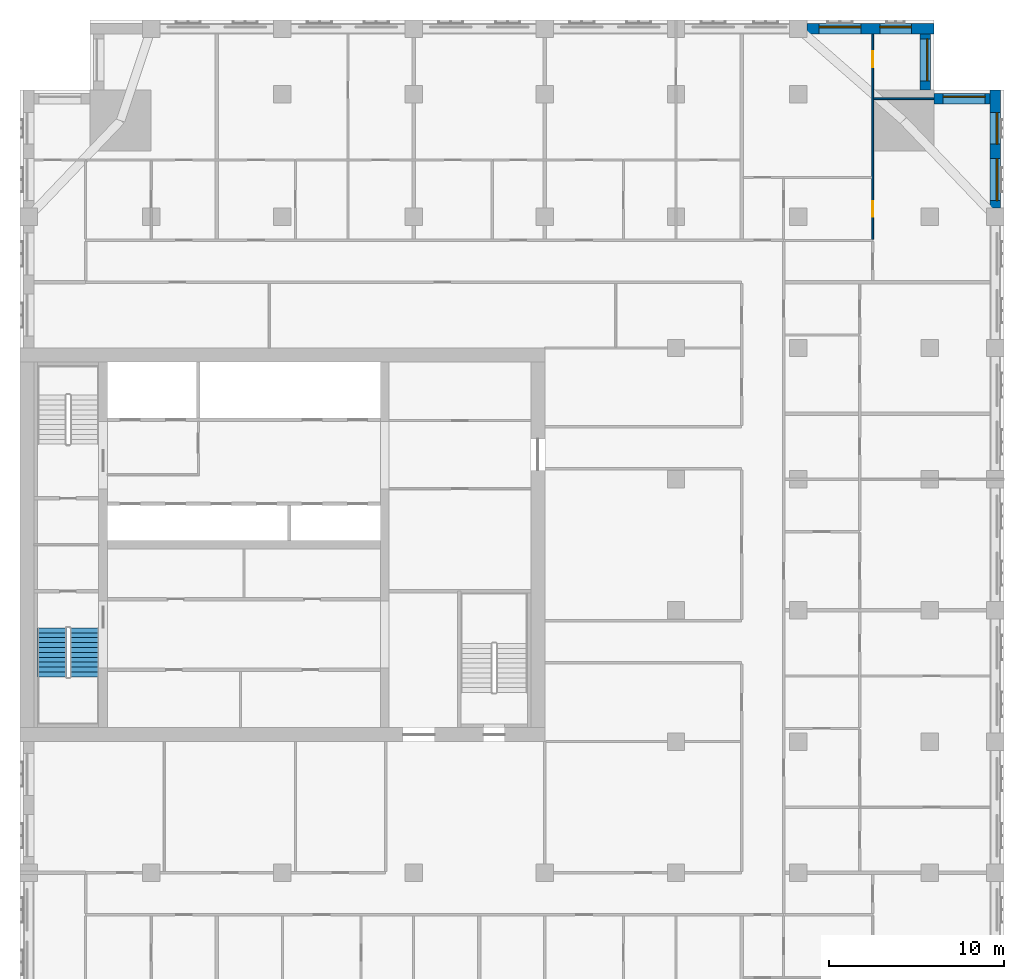
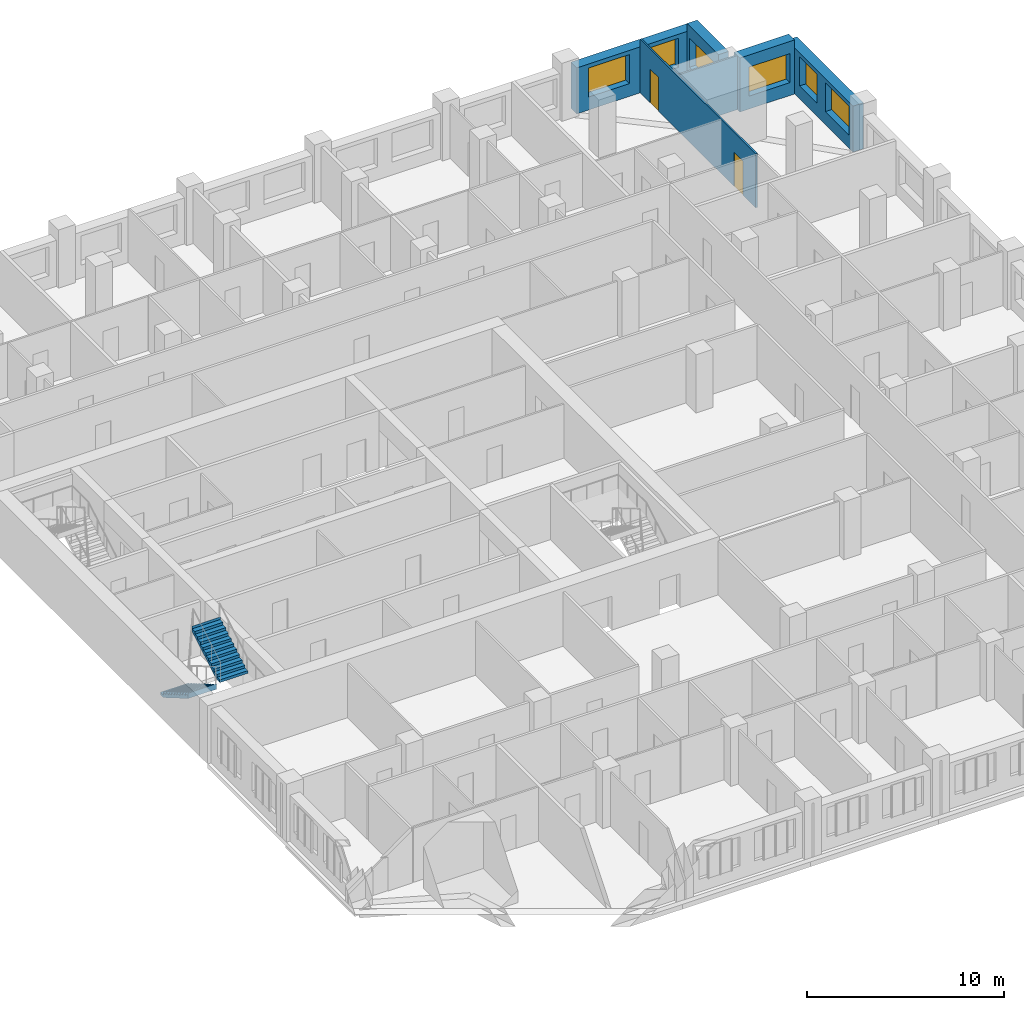
# One storey, part 11 of 13: 6 walls, 6 windows, 2 doors, 2 stair flights, 8 openings, 1 element without a shape of its own.
"""IFC4 building model written with IfcOpenShell, lengths in metres."""

from ifc_helpers import new_model, si_unit, direction, frame, frame_2d, origin, place, context, subcontext, project, spatial, polyline, rectangle, outline, extrude, material, layer, layer_set, type_object, element, fill, aggregate, save


model = new_model("IFC4")

# Units and contexts
model_context = context("Model", 3, precision=1e-05, world=origin(), true_north=direction((0.0, 1.0)))
body_context = subcontext(model_context, "Body", "Model", "MODEL_VIEW")
ifc_project = project(units=[si_unit("LENGTHUNIT", "METRE"), si_unit("AREAUNIT", "SQUARE_METRE"), si_unit("VOLUMEUNIT", "CUBIC_METRE"), si_unit("PLANEANGLEUNIT", "RADIAN"), si_unit("MASSUNIT", "GRAM", prefix="KILO")], contexts=[model_context])

# Site, building, storey
site_placement = place(None, origin())
site = spatial("IfcSite", under=ifc_project, at=site_placement, CompositionType="ELEMENT")
building_placement = place(site_placement, origin())
building = spatial("IfcBuilding", under=site, at=building_placement, Name="Tamorin Gate", CompositionType="ELEMENT")
storey_placement = place(building_placement, frame((0.0, 0.0, 130.199951171875)))
storey = spatial("IfcBuildingStorey", under=building, at=storey_placement, Name="L31", CompositionType="ELEMENT", Elevation=130.199951171875)

# Wall, openings, windows
ifc_material_1 = material(Name="Precast concrete C40/50", Category="concrete")
ifc_layer_1 = layer(ifc_material_1, 0.60009765625)
ifc_layer_set_1 = layer_set([ifc_layer_1], Name="Precast concrete C40/50")
wall_type_1 = type_object("IfcWallType", Name="Board-marked concrete facade panel 600", PredefinedType="SOLIDWALL", material=ifc_layer_set_1)
wall_1_placement = place(storey_placement, frame((85.75, 90.5, 0.0), z_axis=(0.0, 0.0, 1.0), x_axis=(0.0, 1.0, 0.0)))
wall_1 = element("IfcWall", 1, at=wall_1_placement, inside=storey, type_object=wall_type_1, Name="Facade panel", PredefinedType="SOLIDWALL", context=body_context, shape_type="SweptSolid", body=[
    extrude(rectangle(XDim=6.75, YDim=0.60009765625, at=frame_2d((3.375, 0.0))), origin(), (0.0, 0.0, 1.0), 2.85009765625),
])
opening_1_placement = place(wall_1_placement, frame((0.425048828125, 0.0, 0.800048828125)))
opening_1 = element("IfcOpeningElement", 2, at=opening_1_placement, cuts=wall_1, Name="Opening WN1", PredefinedType="OPENING", context=body_context, shape_type="SweptSolid", body=[
    extrude(rectangle(XDim=2.39990234375, YDim=1.800048828125, at=frame_2d((1.199951171875, 0.89990234375))), frame((0.0, 0.31005859375, 0.0), z_axis=(0.0, -1.0, 0.0), x_axis=(1.0, 0.0, 0.0)), (0.0, 0.0, 1.0), 0.6201171875),
])
opening_2_placement = place(wall_1_placement, frame((3.64990234375, 0.0, 0.800048828125)))
opening_2 = element("IfcOpeningElement", 3, at=opening_2_placement, cuts=wall_1, Name="Opening WN2", PredefinedType="OPENING", context=body_context, shape_type="SweptSolid", body=[
    extrude(rectangle(XDim=1.800048828125, YDim=1.800048828125, at=frame_2d((0.89990234375, 0.89990234375))), frame((0.0, 0.31005859375, 0.0), z_axis=(0.0, -1.0, 0.0), x_axis=(1.0, 0.0, 0.0)), (0.0, 0.0, 1.0), 0.6201171875),
])
ifc_material_2 = material(Name="Clear glass in aluminium frame", Category="aluminium")
window_type_1 = type_object("IfcWindowType", Name="Deep-set window 1800x1800", PartitioningType="SINGLE_PANEL", PredefinedType="WINDOW", material=ifc_material_2)
window_1_placement = place(opening_2_placement, origin())
window_1 = element("IfcWindow", 4, at=window_1_placement, inside=storey, type_object=window_type_1, Name="Deep-set window", OverallHeight=1.800048828125, OverallWidth=1.800048828125, PartitioningType="SINGLE_PANEL", PredefinedType="WINDOW", context=body_context, shape_type="SweptSolid", body=[
    extrude(rectangle(XDim=1.800048828125, YDim=1.800048828125, at=frame_2d((0.89990234375, 0.89990234375))), frame((0.0, -0.070068359375, 0.0), z_axis=(0.0, -1.0, 0.0), x_axis=(1.0, 0.0, 0.0)), (0.0, 0.0, 1.0), 0.06005859375),
])
fill(opening_2, window_1)
window_type_2 = type_object("IfcWindowType", Name="Deep-set window 2400x1800", PartitioningType="SINGLE_PANEL", PredefinedType="WINDOW", material=ifc_material_2)
window_2_placement = place(opening_1_placement, origin())
window_2 = element("IfcWindow", 5, at=window_2_placement, inside=storey, type_object=window_type_2, Name="Deep-set window", OverallHeight=1.800048828125, OverallWidth=2.39990234375, PartitioningType="SINGLE_PANEL", PredefinedType="WINDOW", context=body_context, shape_type="SweptSolid", body=[
    extrude(rectangle(XDim=2.39990234375, YDim=1.800048828125, at=frame_2d((1.199951171875, 0.89990234375))), frame((0.0, -0.070068359375, 0.0), z_axis=(0.0, -1.0, 0.0), x_axis=(1.0, 0.0, 0.0)), (0.0, 0.0, 1.0), 0.06005859375),
])
fill(opening_1, window_2)

# Wall, opening, window
wall_2_placement = place(storey_placement, frame((85.449951171875, 96.75, 0.0), z_axis=(0.0, 0.0, 1.0), x_axis=(-1.0, 0.0, 0.0)))
wall_2 = element("IfcWall", 6, at=wall_2_placement, inside=storey, type_object=wall_type_1, Name="Facade panel", PredefinedType="SOLIDWALL", context=body_context, shape_type="SweptSolid", body=[
    extrude(rectangle(XDim=3.199951171875, YDim=0.60009765625, at=frame_2d((1.60009765625, 0.0))), origin(), (0.0, 0.0, 1.0), 3.35009765625),
])
opening_3_placement = place(wall_2_placement, frame((0.27490234375, 0.0, 0.800048828125)))
opening_3 = element("IfcOpeningElement", 7, at=opening_3_placement, cuts=wall_2, Name="Opening WN1", PredefinedType="OPENING", context=body_context, shape_type="SweptSolid", body=[
    extrude(rectangle(XDim=2.39990234375, YDim=1.800048828125, at=frame_2d((1.199951171875, 0.89990234375))), frame((0.0, 0.31005859375, 0.0), z_axis=(0.0, -1.0, 0.0), x_axis=(1.0, 0.0, 0.0)), (0.0, 0.0, 1.0), 0.6201171875),
])
window_3_placement = place(opening_3_placement, origin())
window_3 = element("IfcWindow", 8, at=window_3_placement, inside=storey, type_object=window_type_2, Name="Deep-set window", OverallHeight=1.800048828125, OverallWidth=2.39990234375, PartitioningType="SINGLE_PANEL", PredefinedType="WINDOW", context=body_context, shape_type="SweptSolid", body=[
    extrude(rectangle(XDim=2.39990234375, YDim=1.800048828125, at=frame_2d((1.199951171875, 0.89990234375))), frame((0.0, -0.070068359375, 0.0), z_axis=(0.0, -1.0, 0.0), x_axis=(1.0, 0.0, 0.0)), (0.0, 0.0, 1.0), 0.06005859375),
])
fill(opening_3, window_3)

wall_3_placement = place(storey_placement, frame((81.75, 97.25, 0.0), z_axis=(0.0, 0.0, 1.0), x_axis=(0.0, 1.0, 0.0)))
wall_3 = element("IfcWall", 9, at=wall_3_placement, inside=storey, type_object=wall_type_1, Name="Facade panel", PredefinedType="SOLIDWALL", context=body_context, shape_type="SweptSolid", body=[
    extrude(rectangle(XDim=3.199951171875, YDim=0.60009765625, at=frame_2d((1.60009765625, 0.0))), origin(), (0.0, 0.0, 1.0), 3.35009765625),
])
opening_4_placement = place(wall_3_placement, frame((0.52490234375, 0.0, 0.800048828125)))
opening_4 = element("IfcOpeningElement", 10, at=opening_4_placement, cuts=wall_3, Name="Opening WN1", PredefinedType="OPENING", context=body_context, shape_type="SweptSolid", body=[
    extrude(rectangle(XDim=2.39990234375, YDim=1.800048828125, at=frame_2d((1.199951171875, 0.89990234375))), frame((0.0, 0.31005859375, 0.0), z_axis=(0.0, -1.0, 0.0), x_axis=(1.0, 0.0, 0.0)), (0.0, 0.0, 1.0), 0.6201171875),
])
window_4_placement = place(opening_4_placement, origin())
window_4 = element("IfcWindow", 11, at=window_4_placement, inside=storey, type_object=window_type_2, Name="Deep-set window", OverallHeight=1.800048828125, OverallWidth=2.39990234375, PartitioningType="SINGLE_PANEL", PredefinedType="WINDOW", context=body_context, shape_type="SweptSolid", body=[
    extrude(rectangle(XDim=2.39990234375, YDim=1.800048828125, at=frame_2d((1.199951171875, 0.89990234375))), frame((0.0, -0.070068359375, 0.0), z_axis=(0.0, -1.0, 0.0), x_axis=(1.0, 0.0, 0.0)), (0.0, 0.0, 1.0), 0.06005859375),
])
fill(opening_4, window_4)

# Wall, openings, windows
wall_4_placement = place(storey_placement, frame((82.25, 100.75, 0.0), z_axis=(0.0, 0.0, 1.0), x_axis=(-1.0, 0.0, 0.0)))
wall_4 = element("IfcWall", 12, at=wall_4_placement, inside=storey, type_object=wall_type_1, Name="Facade panel", PredefinedType="SOLIDWALL", context=body_context, shape_type="SweptSolid", body=[
    extrude(rectangle(XDim=7.25, YDim=0.60009765625, at=frame_2d((3.625, 0.0))), origin(), (0.0, 0.0, 1.0), 2.85009765625),
])
opening_5_placement = place(wall_4_placement, frame((4.175048828125, 0.0, 0.800048828125)))
opening_5 = element("IfcOpeningElement", 13, at=opening_5_placement, cuts=wall_4, Name="Opening WN1", PredefinedType="OPENING", context=body_context, shape_type="SweptSolid", body=[
    extrude(rectangle(XDim=2.39990234375, YDim=1.800048828125, at=frame_2d((1.199951171875, 0.89990234375))), frame((0.0, 0.31005859375, 0.0), z_axis=(0.0, -1.0, 0.0), x_axis=(1.0, 0.0, 0.0)), (0.0, 0.0, 1.0), 0.6201171875),
])
opening_6_placement = place(wall_4_placement, frame((1.300048828125, 0.0, 0.800048828125)))
opening_6 = element("IfcOpeningElement", 14, at=opening_6_placement, cuts=wall_4, Name="Opening WN2", PredefinedType="OPENING", context=body_context, shape_type="SweptSolid", body=[
    extrude(rectangle(XDim=1.800048828125, YDim=1.800048828125, at=frame_2d((0.89990234375, 0.89990234375))), frame((0.0, 0.31005859375, 0.0), z_axis=(0.0, -1.0, 0.0), x_axis=(1.0, 0.0, 0.0)), (0.0, 0.0, 1.0), 0.6201171875),
])
window_5_placement = place(opening_6_placement, origin())
window_5 = element("IfcWindow", 15, at=window_5_placement, inside=storey, type_object=window_type_1, Name="Deep-set window", OverallHeight=1.800048828125, OverallWidth=1.800048828125, PartitioningType="SINGLE_PANEL", PredefinedType="WINDOW", context=body_context, shape_type="SweptSolid", body=[
    extrude(rectangle(XDim=1.800048828125, YDim=1.800048828125, at=frame_2d((0.89990234375, 0.89990234375))), frame((0.0, -0.070068359375, 0.0), z_axis=(0.0, -1.0, 0.0), x_axis=(1.0, 0.0, 0.0)), (0.0, 0.0, 1.0), 0.06005859375),
])
fill(opening_6, window_5)
window_6_placement = place(opening_5_placement, origin())
window_6 = element("IfcWindow", 16, at=window_6_placement, inside=storey, type_object=window_type_2, Name="Deep-set window", OverallHeight=1.800048828125, OverallWidth=2.39990234375, PartitioningType="SINGLE_PANEL", PredefinedType="WINDOW", context=body_context, shape_type="SweptSolid", body=[
    extrude(rectangle(XDim=2.39990234375, YDim=1.800048828125, at=frame_2d((1.199951171875, 0.89990234375))), frame((0.0, -0.070068359375, 0.0), z_axis=(0.0, -1.0, 0.0), x_axis=(1.0, 0.0, 0.0)), (0.0, 0.0, 1.0), 0.06005859375),
])
fill(opening_5, window_6)

# Wall
ifc_material_3 = material(Name="Gypsum board partition")
ifc_layer_2 = layer(ifc_material_3, 0.10009765625)
ifc_layer_set_2 = layer_set([ifc_layer_2], Name="Room partition 100")
wall_type_2 = type_object("IfcWallType", Name="Room partition 100", PredefinedType="PARTITIONING", material=ifc_layer_set_2)
wall_5_placement = place(storey_placement, frame((78.800048828125, 96.75, 0.0), z_axis=(0.0, 0.0, 1.0), x_axis=(1.0, 0.0, 0.0)))
element("IfcWall", 17, at=wall_5_placement, inside=storey, type_object=wall_type_2, Name="Room partition 100", PredefinedType="PARTITIONING", context=body_context, shape_type="SweptSolid", body=[
    extrude(rectangle(XDim=3.43994140625, YDim=0.10009765625, at=frame_2d((1.719970703125, 0.0))), origin(), (0.0, 0.0, 1.0), 3.35009765625),
])

# Wall, openings, doors
wall_6_placement = place(storey_placement, frame((78.75, 88.71240234375, 0.0), z_axis=(0.0, 0.0, 1.0), x_axis=(0.0, 1.0, 0.0)))
wall_6 = element("IfcWall", 18, at=wall_6_placement, inside=storey, type_object=wall_type_2, Name="Room partition 100", PredefinedType="PARTITIONING", context=body_context, shape_type="SweptSolid", body=[
    extrude(rectangle(XDim=11.7275390625, YDim=0.10009765625, at=frame_2d((5.86376953125, 0.0))), origin(), (0.0, 0.0, 1.0), 3.35009765625),
])
opening_7_placement = place(wall_6_placement, frame((9.83740234375, 0.0, 0.0)))
opening_7 = element("IfcOpeningElement", 19, at=opening_7_placement, cuts=wall_6, Name="Opening DS1060", PredefinedType="OPENING", context=body_context, shape_type="SweptSolid", body=[
    extrude(rectangle(XDim=0.89990234375, YDim=2.10009765625, at=frame_2d((0.449951171875, 1.050048828125))), frame((0.0, 0.06005859375, 0.0), z_axis=(0.0, -1.0, 0.0), x_axis=(1.0, 0.0, 0.0)), (0.0, 0.0, 1.0), 0.1201171875),
])
opening_8_placement = place(wall_6_placement, frame((1.28759765625, 0.0, 0.0)))
opening_8 = element("IfcOpeningElement", 20, at=opening_8_placement, cuts=wall_6, Name="Opening DS1061", PredefinedType="OPENING", context=body_context, shape_type="SweptSolid", body=[
    extrude(rectangle(XDim=0.89990234375, YDim=2.10009765625, at=frame_2d((0.449951171875, 1.050048828125))), frame((0.0, 0.06005859375, 0.0), z_axis=(0.0, -1.0, 0.0), x_axis=(1.0, 0.0, 0.0)), (0.0, 0.0, 1.0), 0.1201171875),
])
ifc_material_4 = material(Name="Timber door leaf", Category="wood")
door_type = type_object("IfcDoorType", Name="Door 900 x 2100", OperationType="NOTDEFINED", PredefinedType="DOOR", material=ifc_material_4)
door_1_placement = place(opening_7_placement, origin())
door_1 = element("IfcDoor", 21, at=door_1_placement, inside=storey, type_object=door_type, Name="Door DS1060", OperationType="SINGLE_SWING_LEFT", OverallHeight=2.10009765625, OverallWidth=0.89990234375, PredefinedType="DOOR", context=body_context, shape_type="SweptSolid", body=[
    extrude(rectangle(XDim=0.89990234375, YDim=2.10009765625, at=frame_2d((0.449951171875, 1.050048828125))), frame((0.0, 0.02490234375, 0.0), z_axis=(0.0, -1.0, 0.0), x_axis=(1.0, 0.0, 0.0)), (0.0, 0.0, 1.0), 0.050048828125),
])
fill(opening_7, door_1)
door_2_placement = place(opening_8_placement, origin())
door_2 = element("IfcDoor", 22, at=door_2_placement, inside=storey, type_object=door_type, Name="Door DS1061", OperationType="SINGLE_SWING_RIGHT", OverallHeight=2.10009765625, OverallWidth=0.89990234375, PredefinedType="DOOR", context=body_context, shape_type="SweptSolid", body=[
    extrude(rectangle(XDim=0.89990234375, YDim=2.10009765625, at=frame_2d((0.449951171875, 1.050048828125))), frame((0.0, 0.02490234375, 0.0), z_axis=(0.0, -1.0, 0.0), x_axis=(1.0, 0.0, 0.0)), (0.0, 0.0, 1.0), 0.050048828125),
])
fill(opening_8, door_2)

# Stair, stair flights
ifc_material_5 = material(Name="Concrete C40/50", Category="concrete")
stair_type = type_object("IfcStairType", Name="Exit stair", PredefinedType="HALF_TURN_STAIR", material=ifc_material_5)
stair_placement = place(storey_placement, origin())
stair = element("IfcStair", 23, at=stair_placement, inside=storey, type_object=stair_type, Name="L31 stair ST1", PredefinedType="HALF_TURN_STAIR")
stair_flight_type = type_object("IfcStairFlightType", Name="Exit stair flight", PredefinedType="STRAIGHT", material=ifc_material_5)
stair_flight_1_placement = place(storey_placement, frame((31.824951171875, 66.5, 0.0), z_axis=(0.0, 0.0, 1.0), x_axis=(0.0, -1.0, 0.0)))
stair_flight_1 = element("IfcStairFlight", 24, at=stair_flight_1_placement, type_object=stair_flight_type, Name="ST1 flight 1", NumberOfRisers=11, NumberOfTreads=10, PredefinedType="STRAIGHT", RiserHeight=0.163636364, TreadLength=0.28, context=body_context, shape_type="SweptSolid", body=[
    extrude(outline(polyline([(-0.00048828125, 0.0), (-0.00048828125, 0.001708984375), (-0.00048828125, 0.003173828125), (-0.00048828125, 0.0048828125), (-0.00048828125, 0.006591796875), (-0.00048828125, 0.008056640625), (-0.00048828125, 0.009765625), (-0.00048828125, 0.01123046875), (-0.00048828125, 0.012939453125), (-0.00048828125, 0.0146484375), (-0.00048828125, 0.01611328125), (-0.00048828125, 0.017822265625), (-0.00048828125, 0.01953125), (-0.00048828125, 0.02099609375), (-0.00048828125, 0.022705078125), (-0.00048828125, 0.0244140625), (-0.00048828125, 0.02587890625), (-0.00048828125, 0.027587890625), (-0.00048828125, 0.029052734375), (-0.00048828125, 0.03076171875), (-0.00048828125, 0.032470703125), (-0.00048828125, 0.033935546875), (-0.00048828125, 0.03564453125), (-0.00048828125, 0.037353515625), (-0.00048828125, 0.038818359375), (-0.00048828125, 0.04052734375), (-0.00048828125, 0.042236328125), (-0.00048828125, 0.043701171875), (-0.00048828125, 0.04541015625), (-0.00048828125, 0.046875), (-0.00048828125, 0.048583984375), (-0.00048828125, 0.05029296875), (-0.00048828125, 0.0517578125), (-0.00048828125, 0.053466796875), (-0.00048828125, 0.05517578125), (-0.00048828125, 0.056640625), (-0.00048828125, 0.058349609375), (-0.00048828125, 0.06005859375), (-0.00048828125, 0.0615234375), (-0.00048828125, 0.063232421875), (-0.00048828125, 0.064697265625), (-0.00048828125, 0.06640625), (-0.00048828125, 0.068115234375), (-0.00048828125, 0.069580078125), (-0.00048828125, 0.0712890625), (-0.00048828125, 0.072998046875), (-0.00048828125, 0.074462890625), (-0.00048828125, 0.076171875), (-0.00048828125, 0.077880859375), (-0.00048828125, 0.079345703125), (-0.00048828125, 0.0810546875), (-0.00048828125, 0.08251953125), (-0.00048828125, 0.084228515625), (-0.00048828125, 0.0859375), (-0.00048828125, 0.08740234375), (-0.00048828125, 0.089111328125), (-0.00048828125, 0.0908203125), (-0.00048828125, 0.09228515625), (-0.00048828125, 0.093994140625), (-0.00048828125, 0.095703125), (-0.00048828125, 0.09716796875), (-0.00048828125, 0.098876953125), (-0.00048828125, 0.100341796875), (-0.00048828125, 0.10205078125), (-0.00048828125, 0.103759765625), (-0.00048828125, 0.105224609375), (-0.00048828125, 0.10693359375), (-0.00048828125, 0.108642578125), (-0.00048828125, 0.110107421875), (-0.00048828125, 0.11181640625), (-0.00048828125, 0.113525390625), (-0.00048828125, 0.114990234375), (-0.00048828125, 0.11669921875), (-0.00048828125, 0.1181640625), (-0.00048828125, 0.119873046875), (-0.00048828125, 0.12158203125), (-0.00048828125, 0.123046875), (-0.00048828125, 0.124755859375), (-0.00048828125, 0.12646484375), (-0.00048828125, 0.1279296875), (-0.00048828125, 0.129638671875), (-0.00048828125, 0.13134765625), (-0.00048828125, 0.1328125), (-0.00048828125, 0.134521484375), (-0.00048828125, 0.135986328125), (-0.00048828125, 0.1376953125), (-0.00048828125, 0.139404296875), (-0.00048828125, 0.140869140625), (-0.00048828125, 0.142578125), (-0.00048828125, 0.144287109375), (-0.00048828125, 0.145751953125), (-0.00048828125, 0.1474609375), (-0.00048828125, 0.149169921875), (-0.00048828125, 0.150634765625), (-0.00048828125, 0.15234375), (-0.00048828125, 0.15380859375), (-0.00048828125, 0.155517578125), (-0.00048828125, 0.1572265625), (-0.00048828125, 0.15869140625), (-0.00048828125, 0.160400390625), (-0.00048828125, 0.162109375), (-0.00048828125, 0.16357421875), (0.280029296875, 0.16357421875), (0.280029296875, 0.327392578125), (0.56005859375, 0.327392578125), (0.56005859375, 0.490966796875), (0.840087890625, 0.490966796875), (0.840087890625, 0.654541015625), (1.1201171875, 0.654541015625), (1.1201171875, 0.818115234375), (1.39990234375, 0.818115234375), (1.39990234375, 0.98193359375), (1.679931640625, 0.98193359375), (1.679931640625, 1.1455078125), (1.9599609375, 1.1455078125), (1.9599609375, 1.30908203125), (2.239990234375, 1.30908203125), (2.239990234375, 1.47265625), (2.52001953125, 1.47265625), (2.52001953125, 1.636474609375), (2.800048828125, 1.636474609375), (2.800048828125, 1.800048828125), (2.800537109375, 1.800048828125), (2.800537109375, 1.796630859375), (2.800537109375, 1.793212890625), (2.800537109375, 1.7900390625), (2.800537109375, 1.78662109375), (2.800537109375, 1.783203125), (2.800537109375, 1.780029296875), (2.800537109375, 1.776611328125), (2.800537109375, 1.773193359375), (2.800537109375, 1.77001953125), (2.800537109375, 1.7666015625), (2.800537109375, 1.76318359375), (2.800537109375, 1.760009765625), (2.800537109375, 1.756591796875), (2.800537109375, 1.753173828125), (2.800537109375, 1.75), (2.800537109375, 1.74658203125), (2.800537109375, 1.7431640625), (2.800537109375, 1.739990234375), (2.800537109375, 1.736572265625), (2.800537109375, 1.733154296875), (2.800537109375, 1.72998046875), (2.800537109375, 1.7265625), (2.800537109375, 1.72314453125), (2.800537109375, 1.719970703125), (2.800537109375, 1.716552734375), (2.800537109375, 1.713134765625), (2.800537109375, 1.7099609375), (2.800537109375, 1.70654296875), (2.800537109375, 1.703125), (2.800537109375, 1.69970703125), (2.800537109375, 1.696533203125), (2.800537109375, 1.693115234375), (2.800537109375, 1.689697265625), (2.800537109375, 1.6865234375), (2.800537109375, 1.68310546875), (2.800537109375, 1.6796875), (2.800537109375, 1.676513671875), (2.800537109375, 1.673095703125), (2.800537109375, 1.669677734375), (2.800537109375, 1.66650390625), (2.800537109375, 1.6630859375), (2.800537109375, 1.65966796875), (2.800537109375, 1.656494140625), (2.800537109375, 1.653076171875), (2.800537109375, 1.649658203125), (2.800537109375, 1.646484375), (2.800537109375, 1.64306640625), (2.800537109375, 1.6396484375), (2.800537109375, 1.636474609375), (2.800537109375, 1.633056640625), (2.800537109375, 1.629638671875), (2.800537109375, 1.62646484375), (2.800537109375, 1.623046875), (2.800537109375, 1.61962890625), (2.800537109375, 1.616455078125), (2.800537109375, 1.613037109375), (2.800537109375, 1.609619140625), (2.800537109375, 1.6064453125), (2.800537109375, 1.60302734375), (2.800537109375, 1.599609375), (2.800537109375, 1.59619140625), (2.800537109375, 1.593017578125), (2.800537109375, 1.589599609375), (2.800537109375, 1.586181640625), (2.800537109375, 1.5830078125), (2.800537109375, 1.57958984375), (2.800537109375, 1.576171875), (2.800537109375, 1.572998046875), (2.800537109375, 1.569580078125), (2.800537109375, 1.566162109375), (2.800537109375, 1.56298828125), (2.800537109375, 1.5595703125), (2.800537109375, 1.55615234375), (2.800537109375, 1.552978515625), (2.800537109375, 1.549560546875), (2.800537109375, 1.546142578125), (2.800537109375, 1.54296875), (2.800537109375, 1.53955078125), (2.800537109375, 1.5361328125), (2.800537109375, 1.532958984375), (2.800537109375, 1.529541015625), (2.800537109375, 1.526123046875), (2.800537109375, 1.52294921875), (2.800537109375, 1.51953125), (2.800537109375, 1.51611328125), (2.800537109375, 1.512939453125), (2.800537109375, 1.509521484375), (2.800537109375, 1.506103515625), (2.800537109375, 1.5029296875), (2.800537109375, 1.49951171875), (2.800537109375, 1.49609375), (2.800537109375, 1.49267578125), (2.800537109375, 1.489501953125), (2.800537109375, 1.486083984375), (2.800537109375, 1.482666015625), (2.800537109375, 1.4794921875), (2.800537109375, 1.47607421875), (2.800537109375, 1.47265625), (2.800537109375, 1.469482421875), (2.800537109375, 1.466064453125), (2.800537109375, 1.462646484375), (2.800048828125, 1.462646484375), (0.297119140625, 0.0), (-0.00048828125, 0.0)])), frame((0.0, 0.824951171875, 0.0), z_axis=(0.0, -1.0, 0.0), x_axis=(1.0, 0.0, 0.0)), (0.0, 0.0, 1.0), 1.64990234375),
])
stair_flight_2_placement = place(storey_placement, frame((33.675048828125, 63.699951171875, 1.800048828125), z_axis=(0.0, 0.0, 1.0), x_axis=(0.0, 1.0, 0.0)))
stair_flight_2 = element("IfcStairFlight", 25, at=stair_flight_2_placement, type_object=stair_flight_type, Name="ST1 flight 2", NumberOfRisers=11, NumberOfTreads=10, PredefinedType="STRAIGHT", RiserHeight=0.163636364, TreadLength=0.28, context=body_context, shape_type="SweptSolid", body=[
    extrude(outline(polyline([(-0.00048828125, 0.0), (-0.00048828125, 0.001708984375), (-0.00048828125, 0.003173828125), (-0.00048828125, 0.0048828125), (-0.00048828125, 0.006591796875), (-0.00048828125, 0.008056640625), (-0.00048828125, 0.009765625), (-0.00048828125, 0.01123046875), (-0.00048828125, 0.012939453125), (-0.00048828125, 0.0146484375), (-0.00048828125, 0.01611328125), (-0.00048828125, 0.017822265625), (-0.00048828125, 0.01953125), (-0.00048828125, 0.02099609375), (-0.00048828125, 0.022705078125), (-0.00048828125, 0.0244140625), (-0.00048828125, 0.02587890625), (-0.00048828125, 0.027587890625), (-0.00048828125, 0.029052734375), (-0.00048828125, 0.03076171875), (-0.00048828125, 0.032470703125), (-0.00048828125, 0.033935546875), (-0.00048828125, 0.03564453125), (-0.00048828125, 0.037353515625), (-0.00048828125, 0.038818359375), (-0.00048828125, 0.04052734375), (-0.00048828125, 0.042236328125), (-0.00048828125, 0.043701171875), (-0.00048828125, 0.04541015625), (-0.00048828125, 0.046875), (-0.00048828125, 0.048583984375), (-0.00048828125, 0.05029296875), (-0.00048828125, 0.0517578125), (-0.00048828125, 0.053466796875), (-0.00048828125, 0.05517578125), (-0.00048828125, 0.056640625), (-0.00048828125, 0.058349609375), (-0.00048828125, 0.06005859375), (-0.00048828125, 0.0615234375), (-0.00048828125, 0.063232421875), (-0.00048828125, 0.064697265625), (-0.00048828125, 0.06640625), (-0.00048828125, 0.068115234375), (-0.00048828125, 0.069580078125), (-0.00048828125, 0.0712890625), (-0.00048828125, 0.072998046875), (-0.00048828125, 0.074462890625), (-0.00048828125, 0.076171875), (-0.00048828125, 0.077880859375), (-0.00048828125, 0.079345703125), (-0.00048828125, 0.0810546875), (-0.00048828125, 0.08251953125), (-0.00048828125, 0.084228515625), (-0.00048828125, 0.0859375), (-0.00048828125, 0.08740234375), (-0.00048828125, 0.089111328125), (-0.00048828125, 0.0908203125), (-0.00048828125, 0.09228515625), (-0.00048828125, 0.093994140625), (-0.00048828125, 0.095703125), (-0.00048828125, 0.09716796875), (-0.00048828125, 0.098876953125), (-0.00048828125, 0.100341796875), (-0.00048828125, 0.10205078125), (-0.00048828125, 0.103759765625), (-0.00048828125, 0.105224609375), (-0.00048828125, 0.10693359375), (-0.00048828125, 0.108642578125), (-0.00048828125, 0.110107421875), (-0.00048828125, 0.11181640625), (-0.00048828125, 0.113525390625), (-0.00048828125, 0.114990234375), (-0.00048828125, 0.11669921875), (-0.00048828125, 0.1181640625), (-0.00048828125, 0.119873046875), (-0.00048828125, 0.12158203125), (-0.00048828125, 0.123046875), (-0.00048828125, 0.124755859375), (-0.00048828125, 0.12646484375), (-0.00048828125, 0.1279296875), (-0.00048828125, 0.129638671875), (-0.00048828125, 0.13134765625), (-0.00048828125, 0.1328125), (-0.00048828125, 0.134521484375), (-0.00048828125, 0.135986328125), (-0.00048828125, 0.1376953125), (-0.00048828125, 0.139404296875), (-0.00048828125, 0.140869140625), (-0.00048828125, 0.142578125), (-0.00048828125, 0.144287109375), (-0.00048828125, 0.145751953125), (-0.00048828125, 0.1474609375), (-0.00048828125, 0.149169921875), (-0.00048828125, 0.150634765625), (-0.00048828125, 0.15234375), (-0.00048828125, 0.15380859375), (-0.00048828125, 0.155517578125), (-0.00048828125, 0.1572265625), (-0.00048828125, 0.15869140625), (-0.00048828125, 0.160400390625), (-0.00048828125, 0.162109375), (-0.00048828125, 0.16357421875), (0.280029296875, 0.16357421875), (0.280029296875, 0.327392578125), (0.56005859375, 0.327392578125), (0.56005859375, 0.490966796875), (0.840087890625, 0.490966796875), (0.840087890625, 0.654541015625), (1.1201171875, 0.654541015625), (1.1201171875, 0.818115234375), (1.39990234375, 0.818115234375), (1.39990234375, 0.98193359375), (1.679931640625, 0.98193359375), (1.679931640625, 1.1455078125), (1.9599609375, 1.1455078125), (1.9599609375, 1.30908203125), (2.239990234375, 1.30908203125), (2.239990234375, 1.47265625), (2.52001953125, 1.47265625), (2.52001953125, 1.636474609375), (2.800048828125, 1.636474609375), (2.800048828125, 1.800048828125), (2.800537109375, 1.800048828125), (2.800537109375, 1.796630859375), (2.800537109375, 1.793212890625), (2.800537109375, 1.7900390625), (2.800537109375, 1.78662109375), (2.800537109375, 1.783203125), (2.800537109375, 1.780029296875), (2.800537109375, 1.776611328125), (2.800537109375, 1.773193359375), (2.800537109375, 1.77001953125), (2.800537109375, 1.7666015625), (2.800537109375, 1.76318359375), (2.800537109375, 1.760009765625), (2.800537109375, 1.756591796875), (2.800537109375, 1.753173828125), (2.800537109375, 1.75), (2.800537109375, 1.74658203125), (2.800537109375, 1.7431640625), (2.800537109375, 1.739990234375), (2.800537109375, 1.736572265625), (2.800537109375, 1.733154296875), (2.800537109375, 1.72998046875), (2.800537109375, 1.7265625), (2.800537109375, 1.72314453125), (2.800537109375, 1.719970703125), (2.800537109375, 1.716552734375), (2.800537109375, 1.713134765625), (2.800537109375, 1.7099609375), (2.800537109375, 1.70654296875), (2.800537109375, 1.703125), (2.800537109375, 1.69970703125), (2.800537109375, 1.696533203125), (2.800537109375, 1.693115234375), (2.800537109375, 1.689697265625), (2.800537109375, 1.6865234375), (2.800537109375, 1.68310546875), (2.800537109375, 1.6796875), (2.800537109375, 1.676513671875), (2.800537109375, 1.673095703125), (2.800537109375, 1.669677734375), (2.800537109375, 1.66650390625), (2.800537109375, 1.6630859375), (2.800537109375, 1.65966796875), (2.800537109375, 1.656494140625), (2.800537109375, 1.653076171875), (2.800537109375, 1.649658203125), (2.800537109375, 1.646484375), (2.800537109375, 1.64306640625), (2.800537109375, 1.6396484375), (2.800537109375, 1.636474609375), (2.800537109375, 1.633056640625), (2.800537109375, 1.629638671875), (2.800537109375, 1.62646484375), (2.800537109375, 1.623046875), (2.800537109375, 1.61962890625), (2.800537109375, 1.616455078125), (2.800537109375, 1.613037109375), (2.800537109375, 1.609619140625), (2.800537109375, 1.6064453125), (2.800537109375, 1.60302734375), (2.800537109375, 1.599609375), (2.800537109375, 1.59619140625), (2.800537109375, 1.593017578125), (2.800537109375, 1.589599609375), (2.800537109375, 1.586181640625), (2.800537109375, 1.5830078125), (2.800537109375, 1.57958984375), (2.800537109375, 1.576171875), (2.800537109375, 1.572998046875), (2.800537109375, 1.569580078125), (2.800537109375, 1.566162109375), (2.800537109375, 1.56298828125), (2.800537109375, 1.5595703125), (2.800537109375, 1.55615234375), (2.800537109375, 1.552978515625), (2.800537109375, 1.549560546875), (2.800537109375, 1.546142578125), (2.800537109375, 1.54296875), (2.800537109375, 1.53955078125), (2.800537109375, 1.5361328125), (2.800537109375, 1.532958984375), (2.800537109375, 1.529541015625), (2.800537109375, 1.526123046875), (2.800537109375, 1.52294921875), (2.800537109375, 1.51953125), (2.800537109375, 1.51611328125), (2.800537109375, 1.512939453125), (2.800537109375, 1.509521484375), (2.800537109375, 1.506103515625), (2.800537109375, 1.5029296875), (2.800537109375, 1.49951171875), (2.800537109375, 1.49609375), (2.800537109375, 1.49267578125), (2.800537109375, 1.489501953125), (2.800537109375, 1.486083984375), (2.800537109375, 1.482666015625), (2.800537109375, 1.4794921875), (2.800537109375, 1.47607421875), (2.800537109375, 1.47265625), (2.800537109375, 1.469482421875), (2.800537109375, 1.466064453125), (2.800537109375, 1.462646484375), (2.800048828125, 1.462646484375), (0.297119140625, 0.0), (-0.00048828125, 0.0)])), frame((0.0, 0.824951171875, 0.0), z_axis=(0.0, -1.0, 0.0), x_axis=(1.0, 0.0, 0.0)), (0.0, 0.0, 1.0), 1.64990234375),
])
aggregate(stair, [stair_flight_1, stair_flight_2])

save(model, "model.ifc")
